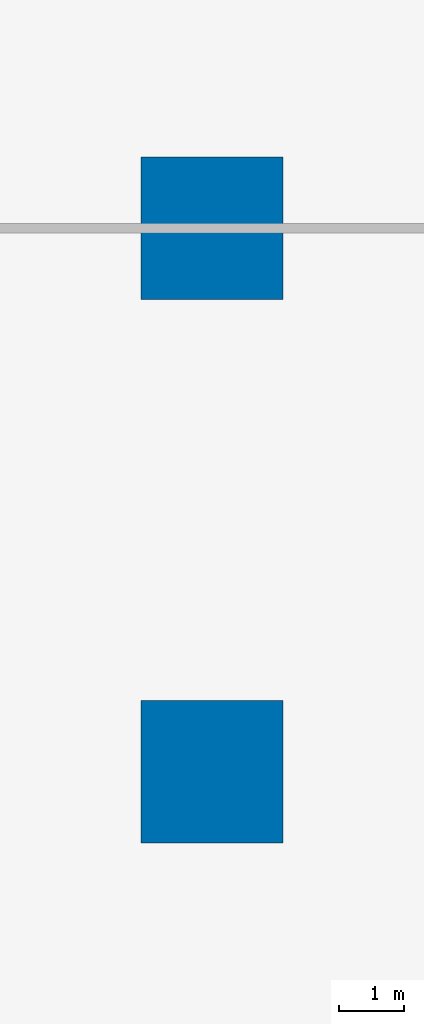
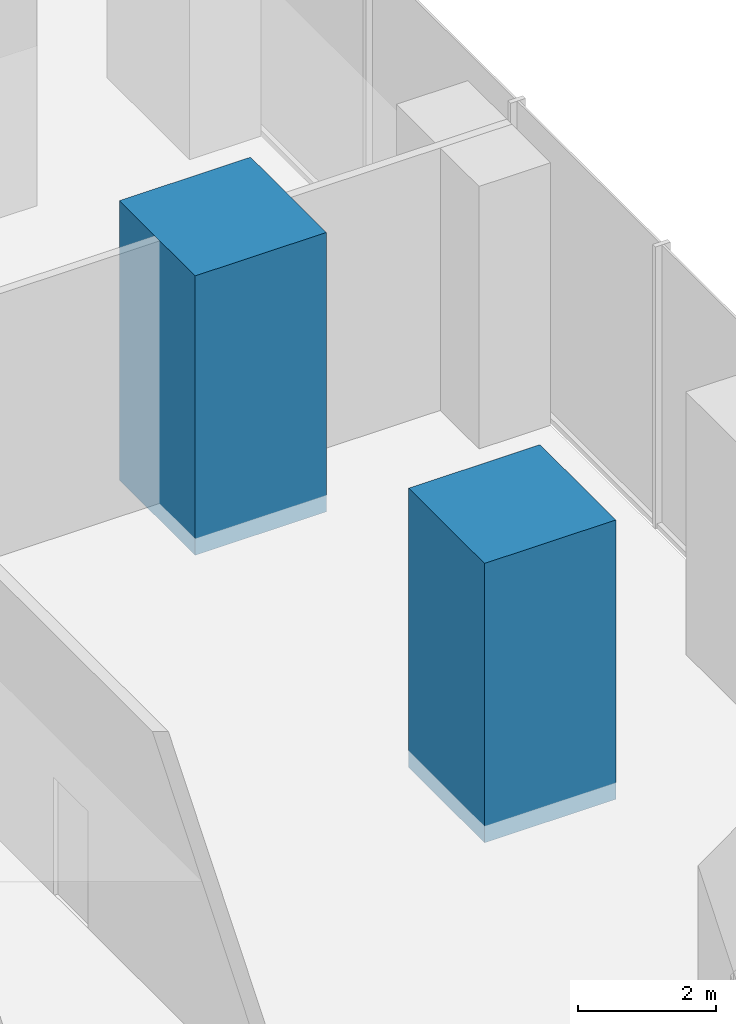
# One storey, part 3 of 18: 2 columns.
"""IFC4 building model written with IfcOpenShell, lengths in metres."""

from ifc_helpers import new_model, si_unit, direction, frame, origin, origin_2d, place, context, subcontext, project, spatial, rectangle, extrude, material, material_profile, profile_set, type_object, element, save


model = new_model("IFC4")

# Units and contexts
model_context = context("Model", 3, precision=1e-05, world=origin(), true_north=direction((0.0, 1.0)))
body_context = subcontext(model_context, "Body", "Model", "MODEL_VIEW")
ifc_project = project(units=[si_unit("LENGTHUNIT", "METRE"), si_unit("AREAUNIT", "SQUARE_METRE"), si_unit("VOLUMEUNIT", "CUBIC_METRE"), si_unit("PLANEANGLEUNIT", "RADIAN"), si_unit("MASSUNIT", "GRAM", prefix="KILO")], contexts=[model_context])

# Site, building, storey
site_placement = place(None, origin())
site = spatial("IfcSite", under=ifc_project, at=site_placement, CompositionType="ELEMENT")
building_placement = place(site_placement, origin())
building = spatial("IfcBuilding", under=site, at=building_placement, Name="Dunama Terrace Hotel", CompositionType="ELEMENT")
storey_placement = place(building_placement, frame((0.0, 0.0, 17.0)))
storey = spatial("IfcBuildingStorey", under=building, at=storey_placement, Name="L03", CompositionType="ELEMENT", Elevation=17.0)

# Columns
ifc_material = material(Name="Concrete C60/75", Category="concrete")
ifc_material_profile = material_profile(ifc_material, rectangle(XDim=2.199951171875, YDim=2.199951171875, at=origin_2d()), Name="RC 2200x2200")
ifc_profile_set = profile_set([ifc_material_profile], Name="Concrete C60/75")
column_type = type_object("IfcColumnType", Name="Column RC 2200x2200", PredefinedType="COLUMN", material=ifc_profile_set)
for number, where, z_axis, x_axis, name in (
    (1, (54.0, 33.60009765625, -0.300048828125), (0.0, 0.0, 1.0), (1.0, 0.0, 0.0), "Column L03 +54.0/+33.6"),
    (2, (54.0, 42.0, -0.300048828125), (0.0, 0.0, 1.0), (1.0, 0.0, 0.0), "Column L03 +54.0/+42.0"),
):
    element("IfcColumn", number, at=place(storey_placement, frame(where, z_axis=z_axis, x_axis=x_axis)), inside=storey, type_object=column_type, Name=name, PredefinedType="COLUMN", context=body_context, shape_type="SweptSolid", body=[
        extrude(rectangle(XDim=2.199951171875, YDim=2.199951171875, at=origin_2d()), origin(), (0.0, 0.0, 1.0), 4.949951171875),
    ])

save(model, "model.ifc")
